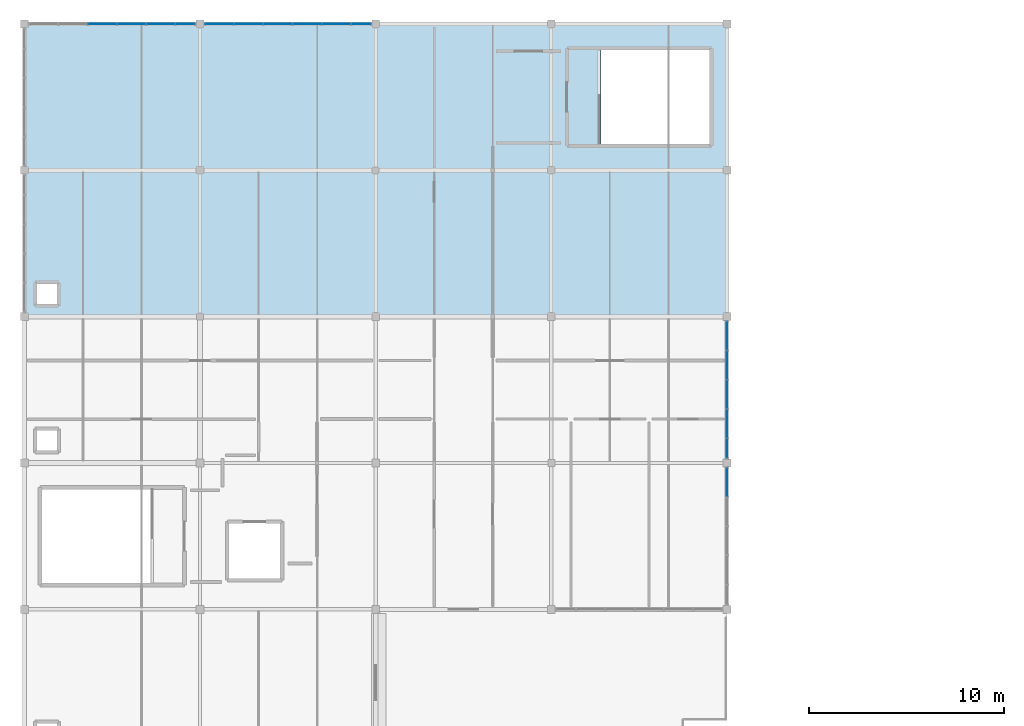
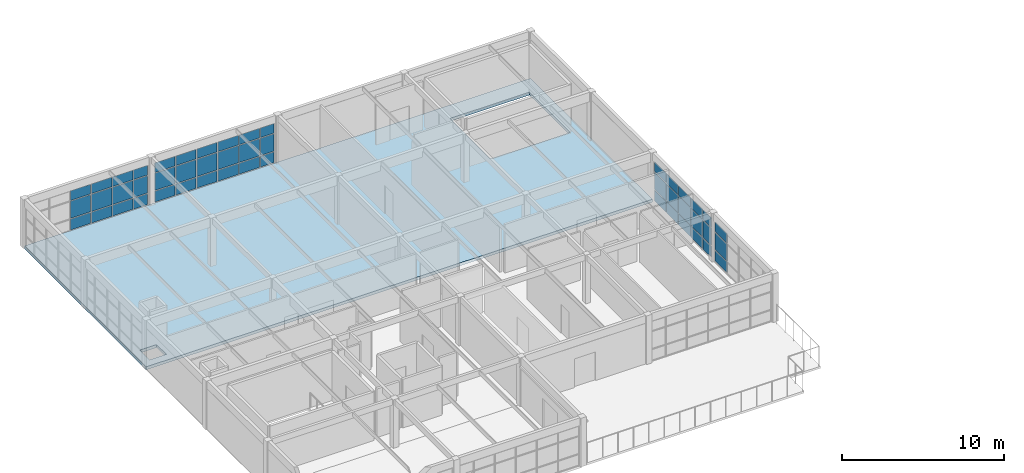
# One storey, part 29 of 45: 48 plates, 1 slab, 4 elements without a shape of their own.
"""IFC4 building model written with IfcOpenShell, lengths in metres."""

from ifc_helpers import new_model, si_unit, direction, frame, origin, origin_2d, place, context, subcontext, project, spatial, polyline, rectangle, outline, extrude, material, layer, layer_set, type_object, element, aggregate, save


model = new_model("IFC4")

# Units and contexts
model_context = context("Model", 3, precision=1e-05, world=origin(), true_north=direction((0.0, 1.0)))
body_context = subcontext(model_context, "Body", "Model", "MODEL_VIEW")
ifc_project = project(units=[si_unit("LENGTHUNIT", "METRE"), si_unit("AREAUNIT", "SQUARE_METRE"), si_unit("VOLUMEUNIT", "CUBIC_METRE"), si_unit("PLANEANGLEUNIT", "RADIAN"), si_unit("MASSUNIT", "GRAM", prefix="KILO")], contexts=[model_context])

# Site, building, storey
site_placement = place(None, origin())
site = spatial("IfcSite", under=ifc_project, at=site_placement, CompositionType="ELEMENT")
building_placement = place(site_placement, origin())
building = spatial("IfcBuilding", under=site, at=building_placement, Name="Marnridge Secondary College", CompositionType="ELEMENT")
storey_placement = place(building_placement, frame((0.0, 0.0, 12.300048828125)))
storey = spatial("IfcBuildingStorey", under=building, at=storey_placement, Name="L03", CompositionType="ELEMENT", Elevation=12.300048828125)

# Curtain wall, plates
ifc_material_1 = material(Name="Thermally broken aluminium and low-E glazing", Category="aluminium")
ifc_layer_1 = layer(ifc_material_1, 0.159912109375)
ifc_layer_set_1 = layer_set([ifc_layer_1], Name="CW-MOD-1500")
curtain_wall_type = type_object("IfcCurtainWallType", Name="CW-MOD-1500", PredefinedType="NOTDEFINED", material=ifc_layer_set_1)
curtain_wall_1_placement = place(storey_placement, origin())
curtain_wall_1 = element("IfcCurtainWall", 1, at=curtain_wall_1_placement, inside=storey, type_object=curtain_wall_type, Name="Unitised curtain wall CW-L03-118", PredefinedType="NOTDEFINED")
ifc_material_2 = material(Name="Double-glazed low-E argon unit", Category="glass")
ifc_layer_2 = layer(ifc_material_2, 0.028076171875)
ifc_layer_set_2 = layer_set([ifc_layer_2], Name="CWP-GLZ28")
plate_type = type_object("IfcPlateType", Name="CWP-GLZ28", PredefinedType="CURTAIN_PANEL", material=ifc_layer_set_2)
plate_1_placement = place(storey_placement, frame((3.98388671875, 120.0, 0.059814453125), z_axis=(0.0, 0.0, 1.0), x_axis=(1.0, 0.0, 0.0)))
plate_1 = element("IfcPlate", 2, at=plate_1_placement, type_object=plate_type, Name="CW-L03-118 panel 3.1", PredefinedType="CURTAIN_PANEL", context=body_context, shape_type="SweptSolid", body=[
    extrude(rectangle(XDim=1.43994140625, YDim=0.028076171875, at=origin_2d()), origin(), (0.0, 0.0, 1.0), 0.81005859375),
])
plate_2_placement = place(storey_placement, frame((3.98388671875, 120.0, 0.929931640625), z_axis=(0.0, 0.0, 1.0), x_axis=(1.0, 0.0, 0.0)))
plate_2 = element("IfcPlate", 3, at=plate_2_placement, type_object=plate_type, Name="CW-L03-118 panel 3.2", PredefinedType="CURTAIN_PANEL", context=body_context, shape_type="SweptSolid", body=[
    extrude(rectangle(XDim=1.43994140625, YDim=0.028076171875, at=origin_2d()), origin(), (0.0, 0.0, 1.0), 1.2900390625),
])
plate_3_placement = place(storey_placement, frame((3.98388671875, 120.0, 2.27978515625), z_axis=(0.0, 0.0, 1.0), x_axis=(1.0, 0.0, 0.0)))
plate_3 = element("IfcPlate", 4, at=plate_3_placement, type_object=plate_type, Name="CW-L03-118 panel 3.3", PredefinedType="CURTAIN_PANEL", context=body_context, shape_type="SweptSolid", body=[
    extrude(rectangle(XDim=1.43994140625, YDim=0.028076171875, at=origin_2d()), origin(), (0.0, 0.0, 1.0), 0.717041015625),
])
plate_4_placement = place(storey_placement, frame((5.48388671875, 120.0, 0.059814453125), z_axis=(0.0, 0.0, 1.0), x_axis=(1.0, 0.0, 0.0)))
plate_4 = element("IfcPlate", 5, at=plate_4_placement, type_object=plate_type, Name="CW-L03-118 panel 4.1", PredefinedType="CURTAIN_PANEL", context=body_context, shape_type="SweptSolid", body=[
    extrude(rectangle(XDim=1.43994140625, YDim=0.028076171875, at=origin_2d()), origin(), (0.0, 0.0, 1.0), 0.81005859375),
])
plate_5_placement = place(storey_placement, frame((5.48388671875, 120.0, 0.929931640625), z_axis=(0.0, 0.0, 1.0), x_axis=(1.0, 0.0, 0.0)))
plate_5 = element("IfcPlate", 6, at=plate_5_placement, type_object=plate_type, Name="CW-L03-118 panel 4.2", PredefinedType="CURTAIN_PANEL", context=body_context, shape_type="SweptSolid", body=[
    extrude(rectangle(XDim=1.43994140625, YDim=0.028076171875, at=origin_2d()), origin(), (0.0, 0.0, 1.0), 1.2900390625),
])
plate_6_placement = place(storey_placement, frame((5.48388671875, 120.0, 2.27978515625), z_axis=(0.0, 0.0, 1.0), x_axis=(1.0, 0.0, 0.0)))
plate_6 = element("IfcPlate", 7, at=plate_6_placement, type_object=plate_type, Name="CW-L03-118 panel 4.3", PredefinedType="CURTAIN_PANEL", context=body_context, shape_type="SweptSolid", body=[
    extrude(rectangle(XDim=1.43994140625, YDim=0.028076171875, at=origin_2d()), origin(), (0.0, 0.0, 1.0), 0.717041015625),
])
plate_7_placement = place(storey_placement, frame((6.98388671875, 120.0, 0.059814453125), z_axis=(0.0, 0.0, 1.0), x_axis=(1.0, 0.0, 0.0)))
plate_7 = element("IfcPlate", 8, at=plate_7_placement, type_object=plate_type, Name="CW-L03-118 panel 5.1", PredefinedType="CURTAIN_PANEL", context=body_context, shape_type="SweptSolid", body=[
    extrude(rectangle(XDim=1.43994140625, YDim=0.028076171875, at=origin_2d()), origin(), (0.0, 0.0, 1.0), 0.81005859375),
])
plate_8_placement = place(storey_placement, frame((6.98388671875, 120.0, 0.929931640625), z_axis=(0.0, 0.0, 1.0), x_axis=(1.0, 0.0, 0.0)))
plate_8 = element("IfcPlate", 9, at=plate_8_placement, type_object=plate_type, Name="CW-L03-118 panel 5.2", PredefinedType="CURTAIN_PANEL", context=body_context, shape_type="SweptSolid", body=[
    extrude(rectangle(XDim=1.43994140625, YDim=0.028076171875, at=origin_2d()), origin(), (0.0, 0.0, 1.0), 1.2900390625),
])
plate_9_placement = place(storey_placement, frame((6.98388671875, 120.0, 2.27978515625), z_axis=(0.0, 0.0, 1.0), x_axis=(1.0, 0.0, 0.0)))
plate_9 = element("IfcPlate", 10, at=plate_9_placement, type_object=plate_type, Name="CW-L03-118 panel 5.3", PredefinedType="CURTAIN_PANEL", context=body_context, shape_type="SweptSolid", body=[
    extrude(rectangle(XDim=1.43994140625, YDim=0.028076171875, at=origin_2d()), origin(), (0.0, 0.0, 1.0), 0.717041015625),
])
plate_10_placement = place(storey_placement, frame((8.25, 120.0, 0.059814453125), z_axis=(0.0, 0.0, 1.0), x_axis=(1.0, 0.0, 0.0)))
plate_10 = element("IfcPlate", 11, at=plate_10_placement, type_object=plate_type, Name="CW-L03-118 panel 6.1", PredefinedType="CURTAIN_PANEL", context=body_context, shape_type="SweptSolid", body=[
    extrude(rectangle(XDim=0.971923828125, YDim=0.028076171875, at=origin_2d()), origin(), (0.0, 0.0, 1.0), 0.81005859375),
])
plate_11_placement = place(storey_placement, frame((8.25, 120.0, 0.929931640625), z_axis=(0.0, 0.0, 1.0), x_axis=(1.0, 0.0, 0.0)))
plate_11 = element("IfcPlate", 12, at=plate_11_placement, type_object=plate_type, Name="CW-L03-118 panel 6.2", PredefinedType="CURTAIN_PANEL", context=body_context, shape_type="SweptSolid", body=[
    extrude(rectangle(XDim=0.971923828125, YDim=0.028076171875, at=origin_2d()), origin(), (0.0, 0.0, 1.0), 1.2900390625),
])
plate_12_placement = place(storey_placement, frame((8.25, 120.0, 2.27978515625), z_axis=(0.0, 0.0, 1.0), x_axis=(1.0, 0.0, 0.0)))
plate_12 = element("IfcPlate", 13, at=plate_12_placement, type_object=plate_type, Name="CW-L03-118 panel 6.3", PredefinedType="CURTAIN_PANEL", context=body_context, shape_type="SweptSolid", body=[
    extrude(rectangle(XDim=0.971923828125, YDim=0.028076171875, at=origin_2d()), origin(), (0.0, 0.0, 1.0), 0.717041015625),
])
aggregate(curtain_wall_1, [plate_1, plate_2, plate_3, plate_4, plate_5, plate_6, plate_7, plate_8, plate_9, plate_10, plate_11, plate_12])

curtain_wall_2_placement = place(storey_placement, origin())
curtain_wall_2 = element("IfcCurtainWall", 14, at=curtain_wall_2_placement, inside=storey, type_object=curtain_wall_type, Name="Unitised curtain wall CW-L03-119", PredefinedType="NOTDEFINED")
plate_13_placement = place(storey_placement, frame((9.98388671875, 120.0, 0.059814453125), z_axis=(0.0, 0.0, 1.0), x_axis=(1.0, 0.0, 0.0)))
plate_13 = element("IfcPlate", 15, at=plate_13_placement, type_object=plate_type, Name="CW-L03-119 panel 1.1", PredefinedType="CURTAIN_PANEL", context=body_context, shape_type="SweptSolid", body=[
    extrude(rectangle(XDim=1.43994140625, YDim=0.028076171875, at=origin_2d()), origin(), (0.0, 0.0, 1.0), 0.81005859375),
])
plate_14_placement = place(storey_placement, frame((9.98388671875, 120.0, 0.929931640625), z_axis=(0.0, 0.0, 1.0), x_axis=(1.0, 0.0, 0.0)))
plate_14 = element("IfcPlate", 16, at=plate_14_placement, type_object=plate_type, Name="CW-L03-119 panel 1.2", PredefinedType="CURTAIN_PANEL", context=body_context, shape_type="SweptSolid", body=[
    extrude(rectangle(XDim=1.43994140625, YDim=0.028076171875, at=origin_2d()), origin(), (0.0, 0.0, 1.0), 1.2900390625),
])
plate_15_placement = place(storey_placement, frame((9.98388671875, 120.0, 2.27978515625), z_axis=(0.0, 0.0, 1.0), x_axis=(1.0, 0.0, 0.0)))
plate_15 = element("IfcPlate", 17, at=plate_15_placement, type_object=plate_type, Name="CW-L03-119 panel 1.3", PredefinedType="CURTAIN_PANEL", context=body_context, shape_type="SweptSolid", body=[
    extrude(rectangle(XDim=1.43994140625, YDim=0.028076171875, at=origin_2d()), origin(), (0.0, 0.0, 1.0), 0.717041015625),
])
plate_16_placement = place(storey_placement, frame((11.48388671875, 120.0, 0.059814453125), z_axis=(0.0, 0.0, 1.0), x_axis=(1.0, 0.0, 0.0)))
plate_16 = element("IfcPlate", 18, at=plate_16_placement, type_object=plate_type, Name="CW-L03-119 panel 2.1", PredefinedType="CURTAIN_PANEL", context=body_context, shape_type="SweptSolid", body=[
    extrude(rectangle(XDim=1.43994140625, YDim=0.028076171875, at=origin_2d()), origin(), (0.0, 0.0, 1.0), 0.81005859375),
])
plate_17_placement = place(storey_placement, frame((11.48388671875, 120.0, 0.929931640625), z_axis=(0.0, 0.0, 1.0), x_axis=(1.0, 0.0, 0.0)))
plate_17 = element("IfcPlate", 19, at=plate_17_placement, type_object=plate_type, Name="CW-L03-119 panel 2.2", PredefinedType="CURTAIN_PANEL", context=body_context, shape_type="SweptSolid", body=[
    extrude(rectangle(XDim=1.43994140625, YDim=0.028076171875, at=origin_2d()), origin(), (0.0, 0.0, 1.0), 1.2900390625),
])
plate_18_placement = place(storey_placement, frame((11.48388671875, 120.0, 2.27978515625), z_axis=(0.0, 0.0, 1.0), x_axis=(1.0, 0.0, 0.0)))
plate_18 = element("IfcPlate", 20, at=plate_18_placement, type_object=plate_type, Name="CW-L03-119 panel 2.3", PredefinedType="CURTAIN_PANEL", context=body_context, shape_type="SweptSolid", body=[
    extrude(rectangle(XDim=1.43994140625, YDim=0.028076171875, at=origin_2d()), origin(), (0.0, 0.0, 1.0), 0.717041015625),
])
plate_19_placement = place(storey_placement, frame((12.98388671875, 120.0, 0.059814453125), z_axis=(0.0, 0.0, 1.0), x_axis=(1.0, 0.0, 0.0)))
plate_19 = element("IfcPlate", 21, at=plate_19_placement, type_object=plate_type, Name="CW-L03-119 panel 3.1", PredefinedType="CURTAIN_PANEL", context=body_context, shape_type="SweptSolid", body=[
    extrude(rectangle(XDim=1.43994140625, YDim=0.028076171875, at=origin_2d()), origin(), (0.0, 0.0, 1.0), 0.81005859375),
])
plate_20_placement = place(storey_placement, frame((12.98388671875, 120.0, 0.929931640625), z_axis=(0.0, 0.0, 1.0), x_axis=(1.0, 0.0, 0.0)))
plate_20 = element("IfcPlate", 22, at=plate_20_placement, type_object=plate_type, Name="CW-L03-119 panel 3.2", PredefinedType="CURTAIN_PANEL", context=body_context, shape_type="SweptSolid", body=[
    extrude(rectangle(XDim=1.43994140625, YDim=0.028076171875, at=origin_2d()), origin(), (0.0, 0.0, 1.0), 1.2900390625),
])
plate_21_placement = place(storey_placement, frame((12.98388671875, 120.0, 2.27978515625), z_axis=(0.0, 0.0, 1.0), x_axis=(1.0, 0.0, 0.0)))
plate_21 = element("IfcPlate", 23, at=plate_21_placement, type_object=plate_type, Name="CW-L03-119 panel 3.3", PredefinedType="CURTAIN_PANEL", context=body_context, shape_type="SweptSolid", body=[
    extrude(rectangle(XDim=1.43994140625, YDim=0.028076171875, at=origin_2d()), origin(), (0.0, 0.0, 1.0), 0.717041015625),
])
plate_22_placement = place(storey_placement, frame((14.48388671875, 120.0, 0.059814453125), z_axis=(0.0, 0.0, 1.0), x_axis=(1.0, 0.0, 0.0)))
plate_22 = element("IfcPlate", 24, at=plate_22_placement, type_object=plate_type, Name="CW-L03-119 panel 4.1", PredefinedType="CURTAIN_PANEL", context=body_context, shape_type="SweptSolid", body=[
    extrude(rectangle(XDim=1.43994140625, YDim=0.028076171875, at=origin_2d()), origin(), (0.0, 0.0, 1.0), 0.81005859375),
])
plate_23_placement = place(storey_placement, frame((14.48388671875, 120.0, 0.929931640625), z_axis=(0.0, 0.0, 1.0), x_axis=(1.0, 0.0, 0.0)))
plate_23 = element("IfcPlate", 25, at=plate_23_placement, type_object=plate_type, Name="CW-L03-119 panel 4.2", PredefinedType="CURTAIN_PANEL", context=body_context, shape_type="SweptSolid", body=[
    extrude(rectangle(XDim=1.43994140625, YDim=0.028076171875, at=origin_2d()), origin(), (0.0, 0.0, 1.0), 1.2900390625),
])
plate_24_placement = place(storey_placement, frame((14.48388671875, 120.0, 2.27978515625), z_axis=(0.0, 0.0, 1.0), x_axis=(1.0, 0.0, 0.0)))
plate_24 = element("IfcPlate", 26, at=plate_24_placement, type_object=plate_type, Name="CW-L03-119 panel 4.3", PredefinedType="CURTAIN_PANEL", context=body_context, shape_type="SweptSolid", body=[
    extrude(rectangle(XDim=1.43994140625, YDim=0.028076171875, at=origin_2d()), origin(), (0.0, 0.0, 1.0), 0.717041015625),
])
plate_25_placement = place(storey_placement, frame((15.98388671875, 120.0, 0.059814453125), z_axis=(0.0, 0.0, 1.0), x_axis=(1.0, 0.0, 0.0)))
plate_25 = element("IfcPlate", 27, at=plate_25_placement, type_object=plate_type, Name="CW-L03-119 panel 5.1", PredefinedType="CURTAIN_PANEL", context=body_context, shape_type="SweptSolid", body=[
    extrude(rectangle(XDim=1.43994140625, YDim=0.028076171875, at=origin_2d()), origin(), (0.0, 0.0, 1.0), 0.81005859375),
])
plate_26_placement = place(storey_placement, frame((15.98388671875, 120.0, 0.929931640625), z_axis=(0.0, 0.0, 1.0), x_axis=(1.0, 0.0, 0.0)))
plate_26 = element("IfcPlate", 28, at=plate_26_placement, type_object=plate_type, Name="CW-L03-119 panel 5.2", PredefinedType="CURTAIN_PANEL", context=body_context, shape_type="SweptSolid", body=[
    extrude(rectangle(XDim=1.43994140625, YDim=0.028076171875, at=origin_2d()), origin(), (0.0, 0.0, 1.0), 1.2900390625),
])
plate_27_placement = place(storey_placement, frame((15.98388671875, 120.0, 2.27978515625), z_axis=(0.0, 0.0, 1.0), x_axis=(1.0, 0.0, 0.0)))
plate_27 = element("IfcPlate", 29, at=plate_27_placement, type_object=plate_type, Name="CW-L03-119 panel 5.3", PredefinedType="CURTAIN_PANEL", context=body_context, shape_type="SweptSolid", body=[
    extrude(rectangle(XDim=1.43994140625, YDim=0.028076171875, at=origin_2d()), origin(), (0.0, 0.0, 1.0), 0.717041015625),
])
plate_28_placement = place(storey_placement, frame((17.25, 120.0, 0.059814453125), z_axis=(0.0, 0.0, 1.0), x_axis=(1.0, 0.0, 0.0)))
plate_28 = element("IfcPlate", 30, at=plate_28_placement, type_object=plate_type, Name="CW-L03-119 panel 6.1", PredefinedType="CURTAIN_PANEL", context=body_context, shape_type="SweptSolid", body=[
    extrude(rectangle(XDim=0.971923828125, YDim=0.028076171875, at=origin_2d()), origin(), (0.0, 0.0, 1.0), 0.81005859375),
])
plate_29_placement = place(storey_placement, frame((17.25, 120.0, 0.929931640625), z_axis=(0.0, 0.0, 1.0), x_axis=(1.0, 0.0, 0.0)))
plate_29 = element("IfcPlate", 31, at=plate_29_placement, type_object=plate_type, Name="CW-L03-119 panel 6.2", PredefinedType="CURTAIN_PANEL", context=body_context, shape_type="SweptSolid", body=[
    extrude(rectangle(XDim=0.971923828125, YDim=0.028076171875, at=origin_2d()), origin(), (0.0, 0.0, 1.0), 1.2900390625),
])
plate_30_placement = place(storey_placement, frame((17.25, 120.0, 2.27978515625), z_axis=(0.0, 0.0, 1.0), x_axis=(1.0, 0.0, 0.0)))
plate_30 = element("IfcPlate", 32, at=plate_30_placement, type_object=plate_type, Name="CW-L03-119 panel 6.3", PredefinedType="CURTAIN_PANEL", context=body_context, shape_type="SweptSolid", body=[
    extrude(rectangle(XDim=0.971923828125, YDim=0.028076171875, at=origin_2d()), origin(), (0.0, 0.0, 1.0), 0.717041015625),
])
aggregate(curtain_wall_2, [plate_13, plate_14, plate_15, plate_16, plate_17, plate_18, plate_19, plate_20, plate_21, plate_22, plate_23, plate_24, plate_25, plate_26, plate_27, plate_28, plate_29, plate_30])

curtain_wall_3_placement = place(storey_placement, origin())
curtain_wall_3 = element("IfcCurtainWall", 33, at=curtain_wall_3_placement, inside=storey, type_object=curtain_wall_type, Name="Unitised curtain wall CW-L03-120", PredefinedType="NOTDEFINED")
plate_31_placement = place(storey_placement, frame((36.0, 104.01611328125, 0.059814453125), z_axis=(0.0, 0.0, 1.0), x_axis=(0.0, -1.0, 0.0)))
plate_31 = element("IfcPlate", 34, at=plate_31_placement, type_object=plate_type, Name="CW-L03-120 panel 1.1", PredefinedType="CURTAIN_PANEL", context=body_context, shape_type="SweptSolid", body=[
    extrude(rectangle(XDim=1.43994140625, YDim=0.028076171875, at=origin_2d()), origin(), (0.0, 0.0, 1.0), 0.81005859375),
])
plate_32_placement = place(storey_placement, frame((36.0, 104.01611328125, 0.929931640625), z_axis=(0.0, 0.0, 1.0), x_axis=(0.0, -1.0, 0.0)))
plate_32 = element("IfcPlate", 35, at=plate_32_placement, type_object=plate_type, Name="CW-L03-120 panel 1.2", PredefinedType="CURTAIN_PANEL", context=body_context, shape_type="SweptSolid", body=[
    extrude(rectangle(XDim=1.43994140625, YDim=0.028076171875, at=origin_2d()), origin(), (0.0, 0.0, 1.0), 1.2900390625),
])
plate_33_placement = place(storey_placement, frame((36.0, 104.01611328125, 2.27978515625), z_axis=(0.0, 0.0, 1.0), x_axis=(0.0, -1.0, 0.0)))
plate_33 = element("IfcPlate", 36, at=plate_33_placement, type_object=plate_type, Name="CW-L03-120 panel 1.3", PredefinedType="CURTAIN_PANEL", context=body_context, shape_type="SweptSolid", body=[
    extrude(rectangle(XDim=1.43994140625, YDim=0.028076171875, at=origin_2d()), origin(), (0.0, 0.0, 1.0), 0.717041015625),
])
plate_34_placement = place(storey_placement, frame((36.0, 102.51611328125, 0.059814453125), z_axis=(0.0, 0.0, 1.0), x_axis=(0.0, -1.0, 0.0)))
plate_34 = element("IfcPlate", 37, at=plate_34_placement, type_object=plate_type, Name="CW-L03-120 panel 2.1", PredefinedType="CURTAIN_PANEL", context=body_context, shape_type="SweptSolid", body=[
    extrude(rectangle(XDim=1.43994140625, YDim=0.028076171875, at=origin_2d()), origin(), (0.0, 0.0, 1.0), 0.81005859375),
])
plate_35_placement = place(storey_placement, frame((36.0, 102.51611328125, 0.929931640625), z_axis=(0.0, 0.0, 1.0), x_axis=(0.0, -1.0, 0.0)))
plate_35 = element("IfcPlate", 38, at=plate_35_placement, type_object=plate_type, Name="CW-L03-120 panel 2.2", PredefinedType="CURTAIN_PANEL", context=body_context, shape_type="SweptSolid", body=[
    extrude(rectangle(XDim=1.43994140625, YDim=0.028076171875, at=origin_2d()), origin(), (0.0, 0.0, 1.0), 1.2900390625),
])
plate_36_placement = place(storey_placement, frame((36.0, 102.51611328125, 2.27978515625), z_axis=(0.0, 0.0, 1.0), x_axis=(0.0, -1.0, 0.0)))
plate_36 = element("IfcPlate", 39, at=plate_36_placement, type_object=plate_type, Name="CW-L03-120 panel 2.3", PredefinedType="CURTAIN_PANEL", context=body_context, shape_type="SweptSolid", body=[
    extrude(rectangle(XDim=1.43994140625, YDim=0.028076171875, at=origin_2d()), origin(), (0.0, 0.0, 1.0), 0.717041015625),
])
plate_37_placement = place(storey_placement, frame((36.0, 101.01611328125, 0.059814453125), z_axis=(0.0, 0.0, 1.0), x_axis=(0.0, -1.0, 0.0)))
plate_37 = element("IfcPlate", 40, at=plate_37_placement, type_object=plate_type, Name="CW-L03-120 panel 3.1", PredefinedType="CURTAIN_PANEL", context=body_context, shape_type="SweptSolid", body=[
    extrude(rectangle(XDim=1.43994140625, YDim=0.028076171875, at=origin_2d()), origin(), (0.0, 0.0, 1.0), 0.81005859375),
])
plate_38_placement = place(storey_placement, frame((36.0, 101.01611328125, 0.929931640625), z_axis=(0.0, 0.0, 1.0), x_axis=(0.0, -1.0, 0.0)))
plate_38 = element("IfcPlate", 41, at=plate_38_placement, type_object=plate_type, Name="CW-L03-120 panel 3.2", PredefinedType="CURTAIN_PANEL", context=body_context, shape_type="SweptSolid", body=[
    extrude(rectangle(XDim=1.43994140625, YDim=0.028076171875, at=origin_2d()), origin(), (0.0, 0.0, 1.0), 1.2900390625),
])
plate_39_placement = place(storey_placement, frame((36.0, 101.01611328125, 2.27978515625), z_axis=(0.0, 0.0, 1.0), x_axis=(0.0, -1.0, 0.0)))
plate_39 = element("IfcPlate", 42, at=plate_39_placement, type_object=plate_type, Name="CW-L03-120 panel 3.3", PredefinedType="CURTAIN_PANEL", context=body_context, shape_type="SweptSolid", body=[
    extrude(rectangle(XDim=1.43994140625, YDim=0.028076171875, at=origin_2d()), origin(), (0.0, 0.0, 1.0), 0.717041015625),
])
plate_40_placement = place(storey_placement, frame((36.0, 99.51611328125, 0.059814453125), z_axis=(0.0, 0.0, 1.0), x_axis=(0.0, -1.0, 0.0)))
plate_40 = element("IfcPlate", 43, at=plate_40_placement, type_object=plate_type, Name="CW-L03-120 panel 4.1", PredefinedType="CURTAIN_PANEL", context=body_context, shape_type="SweptSolid", body=[
    extrude(rectangle(XDim=1.43994140625, YDim=0.028076171875, at=origin_2d()), origin(), (0.0, 0.0, 1.0), 0.81005859375),
])
plate_41_placement = place(storey_placement, frame((36.0, 99.51611328125, 0.929931640625), z_axis=(0.0, 0.0, 1.0), x_axis=(0.0, -1.0, 0.0)))
plate_41 = element("IfcPlate", 44, at=plate_41_placement, type_object=plate_type, Name="CW-L03-120 panel 4.2", PredefinedType="CURTAIN_PANEL", context=body_context, shape_type="SweptSolid", body=[
    extrude(rectangle(XDim=1.43994140625, YDim=0.028076171875, at=origin_2d()), origin(), (0.0, 0.0, 1.0), 1.2900390625),
])
plate_42_placement = place(storey_placement, frame((36.0, 99.51611328125, 2.27978515625), z_axis=(0.0, 0.0, 1.0), x_axis=(0.0, -1.0, 0.0)))
plate_42 = element("IfcPlate", 45, at=plate_42_placement, type_object=plate_type, Name="CW-L03-120 panel 4.3", PredefinedType="CURTAIN_PANEL", context=body_context, shape_type="SweptSolid", body=[
    extrude(rectangle(XDim=1.43994140625, YDim=0.028076171875, at=origin_2d()), origin(), (0.0, 0.0, 1.0), 0.717041015625),
])
plate_43_placement = place(storey_placement, frame((36.0, 98.25, 0.059814453125), z_axis=(0.0, 0.0, 1.0), x_axis=(0.0, -1.0, 0.0)))
plate_43 = element("IfcPlate", 46, at=plate_43_placement, type_object=plate_type, Name="CW-L03-120 panel 5.1", PredefinedType="CURTAIN_PANEL", context=body_context, shape_type="SweptSolid", body=[
    extrude(rectangle(XDim=0.971923828125, YDim=0.028076171875, at=origin_2d()), origin(), (0.0, 0.0, 1.0), 0.81005859375),
])
plate_44_placement = place(storey_placement, frame((36.0, 98.25, 0.929931640625), z_axis=(0.0, 0.0, 1.0), x_axis=(0.0, -1.0, 0.0)))
plate_44 = element("IfcPlate", 47, at=plate_44_placement, type_object=plate_type, Name="CW-L03-120 panel 5.2", PredefinedType="CURTAIN_PANEL", context=body_context, shape_type="SweptSolid", body=[
    extrude(rectangle(XDim=0.971923828125, YDim=0.028076171875, at=origin_2d()), origin(), (0.0, 0.0, 1.0), 1.2900390625),
])
plate_45_placement = place(storey_placement, frame((36.0, 98.25, 2.27978515625), z_axis=(0.0, 0.0, 1.0), x_axis=(0.0, -1.0, 0.0)))
plate_45 = element("IfcPlate", 48, at=plate_45_placement, type_object=plate_type, Name="CW-L03-120 panel 5.3", PredefinedType="CURTAIN_PANEL", context=body_context, shape_type="SweptSolid", body=[
    extrude(rectangle(XDim=0.971923828125, YDim=0.028076171875, at=origin_2d()), origin(), (0.0, 0.0, 1.0), 0.717041015625),
])
aggregate(curtain_wall_3, [plate_31, plate_32, plate_33, plate_34, plate_35, plate_36, plate_37, plate_38, plate_39, plate_40, plate_41, plate_42, plate_43, plate_44, plate_45])

curtain_wall_4_placement = place(storey_placement, origin())
curtain_wall_4 = element("IfcCurtainWall", 49, at=curtain_wall_4_placement, inside=storey, type_object=curtain_wall_type, Name="Unitised curtain wall CW-L03-121", PredefinedType="NOTDEFINED")
plate_46_placement = place(storey_placement, frame((36.0, 96.51611328125, 0.059814453125), z_axis=(0.0, 0.0, 1.0), x_axis=(0.0, -1.0, 0.0)))
plate_46 = element("IfcPlate", 50, at=plate_46_placement, type_object=plate_type, Name="CW-L03-121 panel 1.1", PredefinedType="CURTAIN_PANEL", context=body_context, shape_type="SweptSolid", body=[
    extrude(rectangle(XDim=1.43994140625, YDim=0.028076171875, at=origin_2d()), origin(), (0.0, 0.0, 1.0), 0.81005859375),
])
plate_47_placement = place(storey_placement, frame((36.0, 96.51611328125, 0.929931640625), z_axis=(0.0, 0.0, 1.0), x_axis=(0.0, -1.0, 0.0)))
plate_47 = element("IfcPlate", 51, at=plate_47_placement, type_object=plate_type, Name="CW-L03-121 panel 1.2", PredefinedType="CURTAIN_PANEL", context=body_context, shape_type="SweptSolid", body=[
    extrude(rectangle(XDim=1.43994140625, YDim=0.028076171875, at=origin_2d()), origin(), (0.0, 0.0, 1.0), 1.2900390625),
])
plate_48_placement = place(storey_placement, frame((36.0, 96.51611328125, 2.27978515625), z_axis=(0.0, 0.0, 1.0), x_axis=(0.0, -1.0, 0.0)))
plate_48 = element("IfcPlate", 52, at=plate_48_placement, type_object=plate_type, Name="CW-L03-121 panel 1.3", PredefinedType="CURTAIN_PANEL", context=body_context, shape_type="SweptSolid", body=[
    extrude(rectangle(XDim=1.43994140625, YDim=0.028076171875, at=origin_2d()), origin(), (0.0, 0.0, 1.0), 0.717041015625),
])
aggregate(curtain_wall_4, [plate_46, plate_47, plate_48])

# Slab
ifc_material_3 = material(Name="Cross-laminated timber CL5", Category="wood")
ifc_layer_3 = layer(ifc_material_3, 0.219970703125)
ifc_layer_set_3 = layer_set([ifc_layer_3], Name="SL-CLT-220")
slab_type = type_object("IfcSlabType", Name="SL-CLT-220", PredefinedType="FLOOR", material=ifc_layer_set_3)
slab_placement = place(storey_placement, frame((0.0, 0.0, -0.219970703125)))
element("IfcSlab", 53, at=slab_placement, inside=storey, type_object=slab_type, Name="Floor slab SL-L03-043", PredefinedType="FLOOR", context=body_context, shape_type="SweptSolid", body=[
    extrude(outline(polyline([(36.0, 105.0), (0.0, 105.0), (0.0, 120.0), (36.0, 120.0), (36.0, 105.0)]), holes=[polyline([(29.550048828125, 113.75), (35.199951171875, 113.75), (35.199951171875, 118.75), (29.550048828125, 118.75), (29.550048828125, 113.75)]), polyline([(0.550048828125, 105.550048828125), (1.75, 105.550048828125), (1.75, 106.75), (0.550048828125, 106.75), (0.550048828125, 105.550048828125)])]), origin(), (0.0, 0.0, 1.0), 0.219970703125),
])

save(model, "model.ifc")
